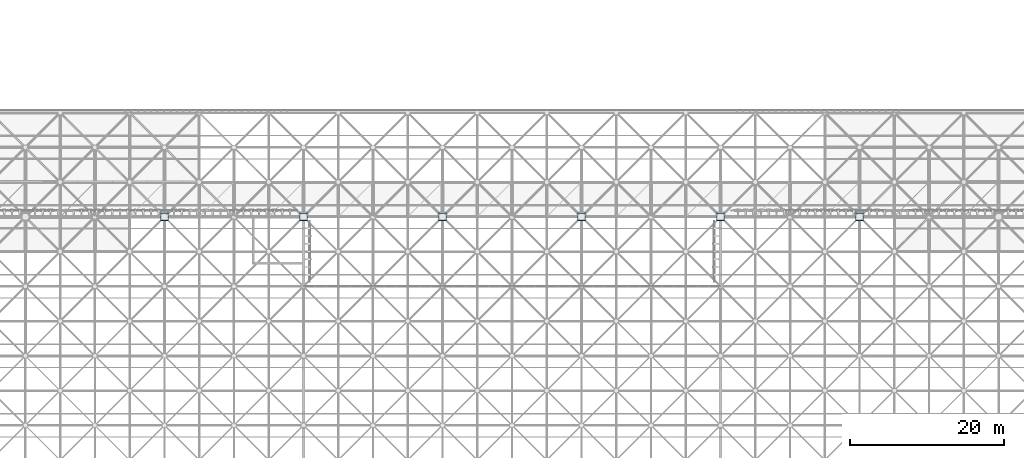
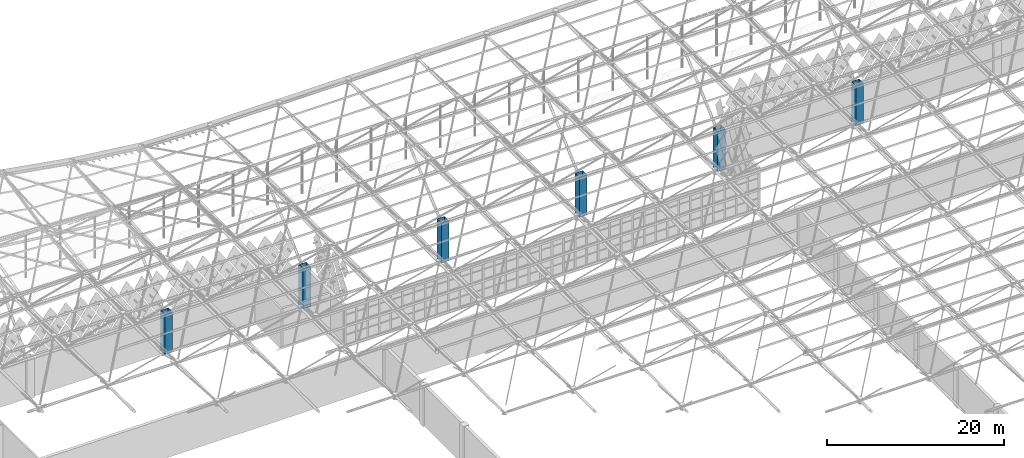
# One storey, part 8 of 437: 6 columns.
"""IFC4 building model written with IfcOpenShell, lengths in metres."""

from ifc_helpers import new_model, si_unit, direction, frame, origin, origin_2d, place, context, subcontext, project, spatial, hollow_rectangle, extrude, material, material_profile, profile_set, type_object, element, save


model = new_model("IFC4")

# Units and contexts
model_context = context("Model", 3, precision=1e-05, world=origin(), true_north=direction((0.0, 1.0)))
body_context = subcontext(model_context, "Body", "Model", "MODEL_VIEW")
ifc_project = project(units=[si_unit("LENGTHUNIT", "METRE"), si_unit("AREAUNIT", "SQUARE_METRE"), si_unit("VOLUMEUNIT", "CUBIC_METRE"), si_unit("PLANEANGLEUNIT", "RADIAN"), si_unit("MASSUNIT", "GRAM", prefix="KILO")], contexts=[model_context])

# Site, building, storey
site_placement = place(None, origin())
site = spatial("IfcSite", under=ifc_project, at=site_placement, CompositionType="ELEMENT")
building_placement = place(site_placement, origin())
building = spatial("IfcBuilding", under=site, at=building_placement, Name="Opaline Strait Convention Centre", CompositionType="ELEMENT")
storey_placement = place(building_placement, frame((0.0, 0.0, 11.5)))
storey = spatial("IfcBuildingStorey", under=building, at=storey_placement, Name="L02", CompositionType="ELEMENT", Elevation=11.5)

# Columns
ifc_material = material(Name="Steel Q355B", Category="steel")
ifc_material_profile = material_profile(ifc_material, hollow_rectangle(XDim=1.0, YDim=1.0, WallThickness=0.031982421875, at=origin_2d()), Name="BOX 1000x1000x32")
ifc_profile_set = profile_set([ifc_material_profile], Name="Steel Q355B")
column_type = type_object("IfcColumnType", Name="CFT column BOX 1000x1000x32 C60 fill", PredefinedType="COLUMN", material=ifc_profile_set)
for number, where, z_axis, x_axis, name in (
    (1, (135.0, 153.0, 0.0), (0.0, 0.0, 1.0), (1.0, 0.0, 0.0), "Roof column XC-11"),
    (2, (153.0, 153.0, 0.0), (0.0, 0.0, 1.0), (1.0, 0.0, 0.0), "Roof column XC-13"),
    (3, (171.0, 153.0, 0.0), (0.0, 0.0, 1.0), (1.0, 0.0, 0.0), "Roof column XC-15"),
    (4, (189.0, 153.0, 0.0), (0.0, 0.0, 1.0), (1.0, 0.0, 0.0), "Roof column XC-17"),
    (5, (207.0, 153.0, 0.0), (0.0, 0.0, 1.0), (1.0, 0.0, 0.0), "Roof column XC-19"),
    (6, (225.0, 153.0, 0.0), (0.0, 0.0, 1.0), (1.0, 0.0, 0.0), "Roof column XC-21"),
):
    element("IfcColumn", number, at=place(storey_placement, frame(where, z_axis=z_axis, x_axis=x_axis)), inside=storey, type_object=column_type, Name=name, ObjectType="XC1", PredefinedType="COLUMN", context=body_context, shape_type="SweptSolid", body=[
        extrude(hollow_rectangle(XDim=1.0, YDim=1.0, WallThickness=0.031982421875, at=origin_2d()), origin(), (0.0, 0.0, 1.0), 5.5),
    ])

save(model, "model.ifc")
